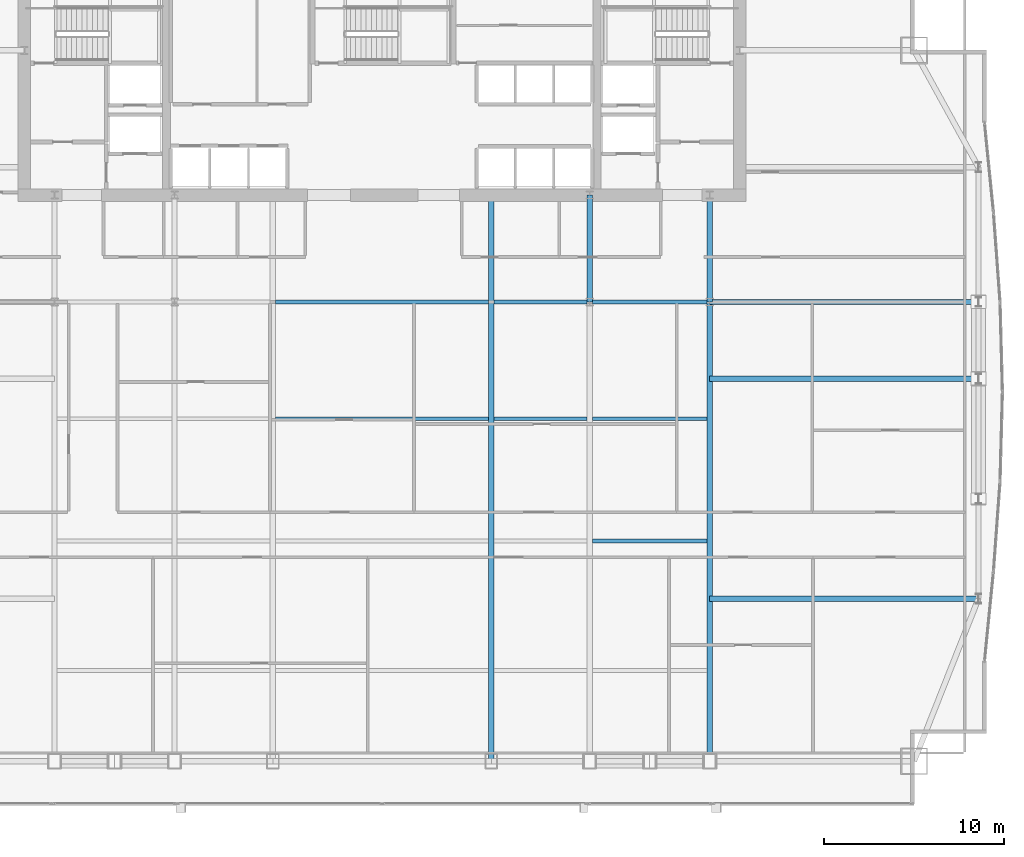
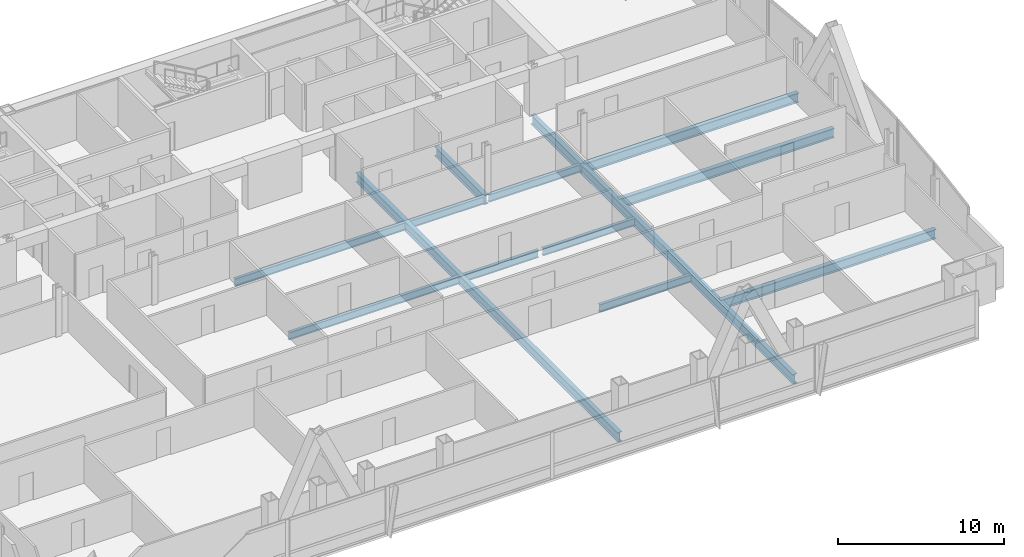
# One storey, part 16 of 31: 14 beams.
"""IFC4 building model written with IfcOpenShell, lengths in metres."""

from ifc_helpers import new_model, si_unit, direction, frame, origin, origin_2d, place, context, subcontext, project, spatial, i_section, extrude, material, material_profile, profile_set, type_object, element, save


model = new_model("IFC4")

# Units and contexts
model_context = context("Model", 3, precision=1e-05, world=origin(), true_north=direction((0.0, 1.0)))
body_context = subcontext(model_context, "Body", "Model", "MODEL_VIEW")
ifc_project = project(units=[si_unit("LENGTHUNIT", "METRE"), si_unit("AREAUNIT", "SQUARE_METRE"), si_unit("VOLUMEUNIT", "CUBIC_METRE"), si_unit("PLANEANGLEUNIT", "RADIAN"), si_unit("MASSUNIT", "GRAM", prefix="KILO")], contexts=[model_context])

# Site, building, storey
site_placement = place(None, origin())
site = spatial("IfcSite", under=ifc_project, at=site_placement, CompositionType="ELEMENT")
building_placement = place(site_placement, origin())
building = spatial("IfcBuilding", under=site, at=building_placement, Name="Khoronbel Lancet Exchange", CompositionType="ELEMENT")
storey_placement = place(building_placement, frame((0.0, 0.0, 129.0)))
storey = spatial("IfcBuildingStorey", under=building, at=storey_placement, Name="L31", CompositionType="ELEMENT", Elevation=129.0)

# Beams
ifc_material = material(Name="Steel S355", Category="steel")
ifc_material_profile_1 = material_profile(ifc_material, i_section(OverallWidth=0.300048828125, OverallDepth=0.699951171875, WebThickness=0.01708984375, FlangeThickness=0.031982421875, at=origin_2d()), Name="HEB 700")
ifc_profile_set_1 = profile_set([ifc_material_profile_1], Name="Steel S355")
beam_type_1 = type_object("IfcBeamType", Name="BM-BG3", PredefinedType="BEAM", material=ifc_profile_set_1)
beam_1_placement = place(storey_placement, frame((42.52490234375, 10.14990234375, -0.510009765625), z_axis=(0.0, 1.0, 0.0), x_axis=(-1.0, 0.0, 0.0)))
element("IfcBeam", 1, at=beam_1_placement, inside=storey, type_object=beam_type_1, Name="Level L31 primary floor girder G4", PredefinedType="BEAM", context=body_context, shape_type="SweptSolid", body=[
    extrude(i_section(OverallWidth=0.300048828125, OverallDepth=0.699951171875, WebThickness=0.01708984375, FlangeThickness=0.031982421875, at=origin_2d()), origin(), (0.0, 0.0, 1.0), 31.5),
])
beam_2_placement = place(storey_placement, frame((48.0, 35.699951171875, -0.510009765625), z_axis=(0.0, 1.0, 0.0), x_axis=(-1.0, 0.0, 0.0)))
element("IfcBeam", 2, at=beam_2_placement, inside=storey, type_object=beam_type_1, Name="Level L31 spine tie girder GN5", PredefinedType="BEAM", context=body_context, shape_type="SweptSolid", body=[
    extrude(i_section(OverallWidth=0.300048828125, OverallDepth=0.699951171875, WebThickness=0.01708984375, FlangeThickness=0.031982421875, at=origin_2d()), origin(), (0.0, 0.0, 1.0), 5.949951171875),
])
beam_3_placement = place(storey_placement, frame((54.675048828125, 10.14990234375, -0.510009765625), z_axis=(0.0, 1.0, 0.0), x_axis=(-1.0, 0.0, 0.0)))
element("IfcBeam", 3, at=beam_3_placement, inside=storey, type_object=beam_type_1, Name="Level L31 south primary girder GS6", PredefinedType="BEAM", context=body_context, shape_type="SweptSolid", body=[
    extrude(i_section(OverallWidth=0.300048828125, OverallDepth=0.699951171875, WebThickness=0.01708984375, FlangeThickness=0.031982421875, at=origin_2d()), origin(), (0.0, 0.0, 1.0), 25.550048828125),
])
beam_4_placement = place(storey_placement, frame((54.675048828125, 35.699951171875, -0.510009765625), z_axis=(0.0, 1.0, 0.0), x_axis=(-1.0, 0.0, 0.0)))
element("IfcBeam", 4, at=beam_4_placement, inside=storey, type_object=beam_type_1, Name="Level L31 spine tie girder GN6", PredefinedType="BEAM", context=body_context, shape_type="SweptSolid", body=[
    extrude(i_section(OverallWidth=0.300048828125, OverallDepth=0.699951171875, WebThickness=0.01708984375, FlangeThickness=0.031982421875, at=origin_2d()), origin(), (0.0, 0.0, 1.0), 5.949951171875),
])
for number, where, z_axis, x_axis, name in (
    (5, (54.675048828125, 19.199951171875, -0.510009765625), (1.0, 0.0, 0.0), (0.0, 1.0, 0.0), "Level L31 east lens tie girder LG1E"),
    (6, (54.675048828125, 31.425048828125, -0.510009765625), (1.0, 0.0, 0.0), (0.0, 1.0, 0.0), "Level L31 east lens tie girder LG2E"),
    (7, (54.675048828125, 35.699951171875, -0.510009765625), (1.0, 0.0, 0.0), (0.0, 1.0, 0.0), "Level L31 east lens tie girder LG4E"),
):
    element("IfcBeam", number, at=place(storey_placement, frame(where, z_axis=z_axis, x_axis=x_axis)), inside=storey, type_object=beam_type_1, Name=name, PredefinedType="BEAM", context=body_context, shape_type="SweptSolid", body=[
        extrude(i_section(OverallWidth=0.300048828125, OverallDepth=0.699951171875, WebThickness=0.01708984375, FlangeThickness=0.031982421875, at=origin_2d()), origin(), (0.0, 0.0, 1.0), 14.954833984375),
    ])
ifc_material_profile_2 = material_profile(ifc_material, i_section(OverallWidth=0.2099609375, OverallDepth=0.550048828125, WebThickness=0.010986328125, FlangeThickness=0.01708984375, at=origin_2d()), Name="IPE 550")
ifc_profile_set_2 = profile_set([ifc_material_profile_2], Name="Steel S355")
beam_type_2 = type_object("IfcBeamType", Name="BM-BJ2", PredefinedType="JOIST", material=ifc_profile_set_2)
beam_5_placement = place(storey_placement, frame((48.14990234375, 22.39990234375, -0.43505859375), z_axis=(1.0, 0.0, 0.0), x_axis=(0.0, 1.0, 0.0)))
element("IfcBeam", 8, at=beam_5_placement, inside=storey, type_object=beam_type_2, Name="Level L31 secondary composite joist J10", PredefinedType="JOIST", context=body_context, shape_type="SweptSolid", body=[
    extrude(i_section(OverallWidth=0.2099609375, OverallDepth=0.550048828125, WebThickness=0.010986328125, FlangeThickness=0.01708984375, at=origin_2d()), origin(), (0.0, 0.0, 1.0), 6.375),
])
beam_6_placement = place(storey_placement, frame((30.52490234375, 29.199951171875, -0.43505859375), z_axis=(1.0, 0.0, 0.0), x_axis=(0.0, 1.0, 0.0)))
element("IfcBeam", 9, at=beam_6_placement, inside=storey, type_object=beam_type_2, Name="Level L31 secondary composite joist J13", PredefinedType="JOIST", context=body_context, shape_type="SweptSolid", body=[
    extrude(i_section(OverallWidth=0.2099609375, OverallDepth=0.550048828125, WebThickness=0.010986328125, FlangeThickness=0.01708984375, at=origin_2d()), origin(), (0.0, 0.0, 1.0), 11.85009765625),
])
beam_7_placement = place(storey_placement, frame((42.675048828125, 29.199951171875, -0.43505859375), z_axis=(1.0, 0.0, 0.0), x_axis=(0.0, 1.0, 0.0)))
element("IfcBeam", 10, at=beam_7_placement, inside=storey, type_object=beam_type_2, Name="Level L31 secondary composite joist J14", PredefinedType="JOIST", context=body_context, shape_type="SweptSolid", body=[
    extrude(i_section(OverallWidth=0.2099609375, OverallDepth=0.550048828125, WebThickness=0.010986328125, FlangeThickness=0.01708984375, at=origin_2d()), origin(), (0.0, 0.0, 1.0), 5.175048828125),
])
beam_8_placement = place(storey_placement, frame((48.14990234375, 29.199951171875, -0.43505859375), z_axis=(1.0, 0.0, 0.0), x_axis=(0.0, 1.0, 0.0)))
element("IfcBeam", 11, at=beam_8_placement, inside=storey, type_object=beam_type_2, Name="Level L31 secondary composite joist J15", PredefinedType="JOIST", context=body_context, shape_type="SweptSolid", body=[
    extrude(i_section(OverallWidth=0.2099609375, OverallDepth=0.550048828125, WebThickness=0.010986328125, FlangeThickness=0.01708984375, at=origin_2d()), origin(), (0.0, 0.0, 1.0), 6.375),
])
beam_9_placement = place(storey_placement, frame((30.52490234375, 35.699951171875, -0.43505859375), z_axis=(1.0, 0.0, 0.0), x_axis=(0.0, 1.0, 0.0)))
element("IfcBeam", 12, at=beam_9_placement, inside=storey, type_object=beam_type_2, Name="Level L31 secondary composite joist J18", PredefinedType="JOIST", context=body_context, shape_type="SweptSolid", body=[
    extrude(i_section(OverallWidth=0.2099609375, OverallDepth=0.550048828125, WebThickness=0.010986328125, FlangeThickness=0.01708984375, at=origin_2d()), origin(), (0.0, 0.0, 1.0), 11.85009765625),
])
beam_10_placement = place(storey_placement, frame((42.675048828125, 35.699951171875, -0.43505859375), z_axis=(1.0, 0.0, 0.0), x_axis=(0.0, 1.0, 0.0)))
element("IfcBeam", 13, at=beam_10_placement, inside=storey, type_object=beam_type_2, Name="Level L31 secondary composite joist J19", PredefinedType="JOIST", context=body_context, shape_type="SweptSolid", body=[
    extrude(i_section(OverallWidth=0.2099609375, OverallDepth=0.550048828125, WebThickness=0.010986328125, FlangeThickness=0.01708984375, at=origin_2d()), origin(), (0.0, 0.0, 1.0), 5.175048828125),
])
beam_11_placement = place(storey_placement, frame((48.14990234375, 35.699951171875, -0.43505859375), z_axis=(1.0, 0.0, 0.0), x_axis=(0.0, 1.0, 0.0)))
element("IfcBeam", 14, at=beam_11_placement, inside=storey, type_object=beam_type_2, Name="Level L31 secondary composite joist J20", PredefinedType="JOIST", context=body_context, shape_type="SweptSolid", body=[
    extrude(i_section(OverallWidth=0.2099609375, OverallDepth=0.550048828125, WebThickness=0.010986328125, FlangeThickness=0.01708984375, at=origin_2d()), origin(), (0.0, 0.0, 1.0), 6.375),
])

save(model, "model.ifc")
